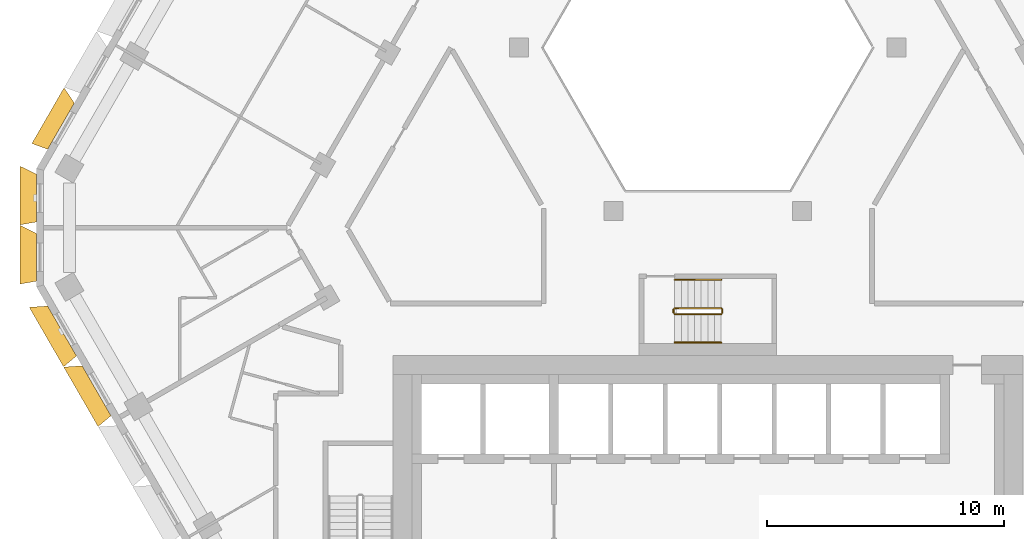
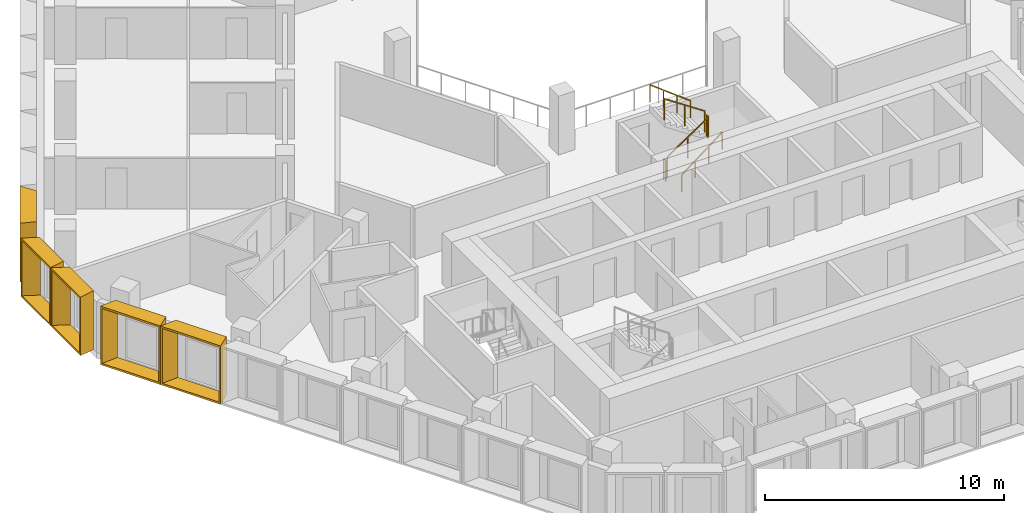
# One storey, part 15 of 17: 6 railings, 5 shading devices.
"""IFC4 building model written with IfcOpenShell, lengths in metres."""

from ifc_helpers import new_model, entity, si_unit, direction, frame, origin, origin_2d, place, context, subcontext, project, spatial, rectangle, extrude, source, transform, mapped, material, type_object, type_shapes, element, save


model = new_model("IFC4")

# Units and contexts
model_context = context("Model", 3, precision=1e-05, world=origin(), true_north=direction((0.0, 1.0)))
body_context = subcontext(model_context, "Body", "Model", "MODEL_VIEW")
ifc_project = project(units=[si_unit("LENGTHUNIT", "METRE"), si_unit("AREAUNIT", "SQUARE_METRE"), si_unit("VOLUMEUNIT", "CUBIC_METRE"), si_unit("PLANEANGLEUNIT", "RADIAN"), si_unit("MASSUNIT", "GRAM", prefix="KILO")], contexts=[model_context])

# Site, building, storey
site_placement = place(None, origin())
site = spatial("IfcSite", under=ifc_project, at=site_placement, CompositionType="ELEMENT")
building_placement = place(site_placement, origin())
building = spatial("IfcBuilding", under=site, at=building_placement, Name="Beryl Residences", CompositionType="ELEMENT")
storey_placement = place(building_placement, frame((0.0, 0.0, 150.60009765625)))
storey = spatial("IfcBuildingStorey", under=building, at=storey_placement, Name="L46", CompositionType="ELEMENT", Elevation=150.60009765625)

# Shading devices
ifc_material_1 = material(Name="Aluminium pale anodised", Category="aluminium")
shading_device_type_1 = type_object("IfcShadingDeviceType", Name="FR250-70B OUTER SKIN frame 700 mm deep, splay 26/10 deg, 2500 x 3000 mm cell", PredefinedType="USERDEFINED", material=ifc_material_1)
cartesian_point_1 = entity("IfcCartesianPoint", [-1.007568359375, 0.0])
cartesian_point_2 = entity("IfcCartesianPoint", [-0.91845703125, 0.10009765625])
cartesian_point_3 = entity("IfcCartesianPoint", [-1.348876953125, 0.0])
cartesian_point_4 = entity("IfcCartesianPoint", [-1.260009765625, 0.10009765625])
shared_shape_1 = source(origin(), body_context, "Body", "SweptSolid", [
    entity("IfcExtrudedAreaSolidTapered", entity("IfcArbitraryProfileDefWithVoids", "AREA", None, entity("IfcPolyline", [cartesian_point_1, entity("IfcCartesianPoint", [1.007568359375, 0.0]), entity("IfcCartesianPoint", [1.007568359375, 3.0]), entity("IfcCartesianPoint", [-1.007568359375, 3.0]), cartesian_point_1]), [entity("IfcPolyline", [cartesian_point_2, entity("IfcCartesianPoint", [0.92626953125, 0.10009765625]), entity("IfcCartesianPoint", [0.92626953125, 2.89990234375]), entity("IfcCartesianPoint", [-0.91845703125, 2.89990234375]), cartesian_point_2])]), entity("IfcAxis2Placement3D", entity("IfcCartesianPoint", [0.0, 0.0, 0.0]), entity("IfcDirection", [0.0, 1.0, 0.0]), entity("IfcDirection", [-1.0, 0.0, 0.0])), entity("IfcDirection", [0.0, 0.0, 1.0]), 0.699951171875, entity("IfcArbitraryProfileDefWithVoids", "AREA", None, entity("IfcPolyline", [cartesian_point_3, entity("IfcCartesianPoint", [1.130859375, 0.0]), entity("IfcCartesianPoint", [1.130859375, 3.0]), entity("IfcCartesianPoint", [-1.348876953125, 3.0]), cartesian_point_3]), [entity("IfcPolyline", [cartesian_point_4, entity("IfcCartesianPoint", [1.0498046875, 0.10009765625]), entity("IfcCartesianPoint", [1.0498046875, 2.89990234375]), entity("IfcCartesianPoint", [-1.260009765625, 2.89990234375]), cartesian_point_4])])),
])
type_shapes(shading_device_type_1, [shared_shape_1])
for number, where, z_axis, x_axis, name in (
    (1, (-28.347900390625, 1.64990234375, 0.0), (0.0, 0.0, 1.0), (0.0, 1.0, 0.0), "FR250-70B frame L46 NW-SW 1"),
    (2, (-28.347900390625, -0.85009765625, 0.0), (0.0, 0.0, 1.0), (0.0, 1.0, 0.0), "FR250-70B frame L46 NW-SW 2"),
):
    element("IfcShadingDevice", number, at=place(storey_placement, frame(where, z_axis=z_axis, x_axis=x_axis)), inside=storey, type_object=shading_device_type_1, Name=name, ObjectType="OUTER SKIN", PredefinedType="USERDEFINED", context=body_context, shape_type="MappedRepresentation", body=[
        mapped(shared_shape_1, transform((0.0, 0.0, 0.0))),
    ])
ifc_material_2 = material(Name="Aluminium pale anodised", Category="aluminium")
shading_device_type_2 = type_object("IfcShadingDeviceType", Name="FR274-70B OUTER SKIN frame 700 mm deep, splay 26/10 deg, 2740 x 3000 mm cell", PredefinedType="USERDEFINED", material=ifc_material_2)
cartesian_point_5 = entity("IfcCartesianPoint", [-1.12744140625, 0.0])
cartesian_point_6 = entity("IfcCartesianPoint", [-1.03857421875, 0.10009765625])
cartesian_point_7 = entity("IfcCartesianPoint", [-1.468994140625, 0.0])
cartesian_point_8 = entity("IfcCartesianPoint", [-1.3798828125, 0.10009765625])
shared_shape_2 = source(origin(), body_context, "Body", "SweptSolid", [
    entity("IfcExtrudedAreaSolidTapered", entity("IfcArbitraryProfileDefWithVoids", "AREA", None, entity("IfcPolyline", [cartesian_point_5, entity("IfcCartesianPoint", [1.12744140625, 0.0]), entity("IfcCartesianPoint", [1.12744140625, 3.0]), entity("IfcCartesianPoint", [-1.12744140625, 3.0]), cartesian_point_5]), [entity("IfcPolyline", [cartesian_point_6, entity("IfcCartesianPoint", [1.04638671875, 0.10009765625]), entity("IfcCartesianPoint", [1.04638671875, 2.89990234375]), entity("IfcCartesianPoint", [-1.03857421875, 2.89990234375]), cartesian_point_6])]), entity("IfcAxis2Placement3D", entity("IfcCartesianPoint", [0.0, 0.0, 0.0]), entity("IfcDirection", [0.0, 1.0, 0.0]), entity("IfcDirection", [-1.0, 0.0, 0.0])), entity("IfcDirection", [0.0, 0.0, 1.0]), 0.699951171875, entity("IfcArbitraryProfileDefWithVoids", "AREA", None, entity("IfcPolyline", [cartesian_point_7, entity("IfcCartesianPoint", [1.2509765625, 0.0]), entity("IfcCartesianPoint", [1.2509765625, 3.0]), entity("IfcCartesianPoint", [-1.468994140625, 3.0]), cartesian_point_7]), [entity("IfcPolyline", [cartesian_point_8, entity("IfcCartesianPoint", [1.169677734375, 0.10009765625]), entity("IfcCartesianPoint", [1.169677734375, 2.89990234375]), entity("IfcCartesianPoint", [-1.3798828125, 2.89990234375]), cartesian_point_8])])),
])
type_shapes(shading_device_type_2, [shared_shape_2])
shading_device_placement = place(storey_placement, frame((-27.31591796875, 4.68701171875, 0.0), z_axis=(0.0, 0.0, 1.0), x_axis=(0.5, 0.866025403784, 0.0)))
element("IfcShadingDevice", 3, at=shading_device_placement, inside=storey, type_object=shading_device_type_2, Name="FR274-70B frame L46 NW 8", ObjectType="OUTER SKIN", PredefinedType="USERDEFINED", context=body_context, shape_type="MappedRepresentation", body=[
    mapped(shared_shape_2, transform((0.0, 0.0, 0.0))),
])
ifc_material_3 = material(Name="Aluminium pale anodised", Category="aluminium")
shading_device_type_3 = type_object("IfcShadingDeviceType", Name="FR292-70B OUTER SKIN frame 700 mm deep, splay 26/10 deg, 2920 x 3000 mm cell", PredefinedType="USERDEFINED", material=ifc_material_3)
cartesian_point_9 = entity("IfcCartesianPoint", [-1.217529296875, 0.0])
cartesian_point_10 = entity("IfcCartesianPoint", [-1.12841796875, 0.10009765625])
cartesian_point_11 = entity("IfcCartesianPoint", [-1.558837890625, 0.0])
cartesian_point_12 = entity("IfcCartesianPoint", [-1.469970703125, 0.10009765625])
shared_shape_3 = source(origin(), body_context, "Body", "SweptSolid", [
    entity("IfcExtrudedAreaSolidTapered", entity("IfcArbitraryProfileDefWithVoids", "AREA", None, entity("IfcPolyline", [cartesian_point_9, entity("IfcCartesianPoint", [1.217529296875, 0.0]), entity("IfcCartesianPoint", [1.217529296875, 3.0]), entity("IfcCartesianPoint", [-1.217529296875, 3.0]), cartesian_point_9]), [entity("IfcPolyline", [cartesian_point_10, entity("IfcCartesianPoint", [1.13623046875, 0.10009765625]), entity("IfcCartesianPoint", [1.13623046875, 2.89990234375]), entity("IfcCartesianPoint", [-1.12841796875, 2.89990234375]), cartesian_point_10])]), entity("IfcAxis2Placement3D", entity("IfcCartesianPoint", [0.0, 0.0, 0.0]), entity("IfcDirection", [0.0, 1.0, 0.0]), entity("IfcDirection", [-1.0, 0.0, 0.0])), entity("IfcDirection", [0.0, 0.0, 1.0]), 0.699951171875, entity("IfcArbitraryProfileDefWithVoids", "AREA", None, entity("IfcPolyline", [cartesian_point_11, entity("IfcCartesianPoint", [1.3408203125, 0.0]), entity("IfcCartesianPoint", [1.3408203125, 3.0]), entity("IfcCartesianPoint", [-1.558837890625, 3.0]), cartesian_point_11]), [entity("IfcPolyline", [cartesian_point_12, entity("IfcCartesianPoint", [1.259765625, 0.10009765625]), entity("IfcCartesianPoint", [1.259765625, 2.89990234375]), entity("IfcCartesianPoint", [-1.469970703125, 2.89990234375]), cartesian_point_12])])),
])
type_shapes(shading_device_type_3, [shared_shape_3])
for number, where, z_axis, x_axis, name in (
    (4, (-27.27294921875, -3.9619140625, 0.0), (0.0, 0.0, 1.0), (-0.5, 0.866025403784, 0.0), "FR292-70B frame L46 SW 1"),
    (5, (-25.81494140625, -6.487060546875, 0.0), (0.0, 0.0, 1.0), (-0.5, 0.866025403784, 0.0), "FR292-70B frame L46 SW 2"),
):
    element("IfcShadingDevice", number, at=place(storey_placement, frame(where, z_axis=z_axis, x_axis=x_axis)), inside=storey, type_object=shading_device_type_3, Name=name, ObjectType="OUTER SKIN", PredefinedType="USERDEFINED", context=body_context, shape_type="MappedRepresentation", body=[
        mapped(shared_shape_3, transform((0.0, 0.0, 0.0))),
    ])

# Railings
ifc_material_4 = material(Name="Stainless steel balustrade with glass infill", Category="steel")
railing_type_1 = type_object("IfcRailingType", Name="SG1 stair guard 1100 mm", PredefinedType="GUARDRAIL", material=ifc_material_4)
railing_1_placement = place(storey_placement, frame((-1.39990234375, -3.25, 0.1875)))
element("IfcRailing", 6, at=railing_1_placement, inside=storey, type_object=railing_type_1, Name="L46 ST-4 stair guard 1", PredefinedType="GUARDRAIL", context=body_context, shape_type="SweptSolid", body=[
    extrude(rectangle(XDim=0.048095703125, YDim=0.048095703125, at=origin_2d()), frame((0.0, 0.0, 1.076171875), z_axis=(0.830902050051, 0.0, 0.556418712142), x_axis=(0.0, 1.0, 0.0)), (0.0, 0.0, 1.0), 2.35888671875),
    extrude(rectangle(XDim=0.0419921875, YDim=0.0419921875, at=origin_2d()), origin(), (0.0, 0.0, 1.0), 1.052001953125),
    extrude(rectangle(XDim=0.0419921875, YDim=0.0419921875, at=origin_2d()), frame((0.97998046875, 0.0, 0.65625)), (0.0, 0.0, 1.0), 1.052001953125),
    extrude(rectangle(XDim=0.0419921875, YDim=0.0419921875, at=origin_2d()), frame((1.9599609375, 0.0, 1.3125)), (0.0, 0.0, 1.0), 1.052001953125),
])
railing_2_placement = place(storey_placement, frame((0.610107421875, -3.199951171875, 1.5)))
element("IfcRailing", 7, at=railing_2_placement, inside=storey, type_object=railing_type_1, Name="L46 ST-4 stair guard 2", PredefinedType="GUARDRAIL", context=body_context, shape_type="SweptSolid", body=[
    extrude(rectangle(XDim=0.048095703125, YDim=0.048095703125, at=origin_2d()), frame((0.0, 0.0, 1.076171875), z_axis=(0.0, 1.0, 0.0), x_axis=(-1.0, 0.0, 0.0)), (0.0, 0.0, 1.0), 0.14990234375),
    extrude(rectangle(XDim=0.0419921875, YDim=0.0419921875, at=origin_2d()), origin(), (0.0, 0.0, 1.0), 1.052001953125),
    extrude(rectangle(XDim=0.0419921875, YDim=0.0419921875, at=origin_2d()), frame((0.0, 0.14990234375, 0.0)), (0.0, 0.0, 1.0), 1.052001953125),
])
railing_3_placement = place(storey_placement, frame((0.56005859375, -3.0, 1.6875)))
element("IfcRailing", 8, at=railing_3_placement, inside=storey, type_object=railing_type_1, Name="L46 ST-4 stair guard 3", PredefinedType="GUARDRAIL", context=body_context, shape_type="SweptSolid", body=[
    extrude(rectangle(XDim=0.048095703125, YDim=0.048095703125, at=origin_2d()), frame((0.0, 0.0, 1.076171875), z_axis=(-0.830902050051, 0.0, 0.556418712142), x_axis=(0.0, -1.0, 0.0)), (0.0, 0.0, 1.0), 2.35888671875),
    extrude(rectangle(XDim=0.0419921875, YDim=0.0419921875, at=origin_2d()), origin(), (0.0, 0.0, 1.0), 1.052001953125),
    extrude(rectangle(XDim=0.0419921875, YDim=0.0419921875, at=origin_2d()), frame((-0.97998046875, 0.0, 0.65625)), (0.0, 0.0, 1.0), 1.052001953125),
    extrude(rectangle(XDim=0.0419921875, YDim=0.0419921875, at=origin_2d()), frame((-1.9599609375, 0.0, 1.3125)), (0.0, 0.0, 1.0), 1.052001953125),
])
railing_4_placement = place(storey_placement, frame((-1.449951171875, -3.199951171875, 0.0)))
element("IfcRailing", 9, at=railing_4_placement, inside=storey, type_object=railing_type_1, Name="L46 ST-4 stair guard 4", PredefinedType="GUARDRAIL", context=body_context, shape_type="SweptSolid", body=[
    extrude(rectangle(XDim=0.048095703125, YDim=0.048095703125, at=origin_2d()), frame((0.0, 0.0, 1.076171875), z_axis=(0.0, 1.0, 0.0), x_axis=(-1.0, 0.0, 0.0)), (0.0, 0.0, 1.0), 0.14990234375),
    extrude(rectangle(XDim=0.0419921875, YDim=0.0419921875, at=origin_2d()), origin(), (0.0, 0.0, 1.0), 1.052001953125),
    extrude(rectangle(XDim=0.0419921875, YDim=0.0419921875, at=origin_2d()), frame((0.0, 0.14990234375, 0.0)), (0.0, 0.0, 1.0), 1.052001953125),
])
ifc_material_5 = material(Name="Stainless steel handrail", Category="steel")
railing_type_2 = type_object("IfcRailingType", Name="SRL1 stair handrail 900 mm", PredefinedType="HANDRAIL", material=ifc_material_5)
railing_5_placement = place(storey_placement, frame((-1.39990234375, -4.449951171875, 0.1875)))
element("IfcRailing", 10, at=railing_5_placement, inside=storey, type_object=railing_type_2, Name="L46 ST-4 stair handrail 1", PredefinedType="HANDRAIL", context=body_context, shape_type="SweptSolid", body=[
    extrude(rectangle(XDim=0.048095703125, YDim=0.048095703125, at=origin_2d()), frame((0.0, 0.0, 0.8759765625), z_axis=(0.794121922505, 0.0, 0.607758481798), x_axis=(0.0, 1.0, 0.0)), (0.0, 0.0, 1.0), 2.468017578125),
    extrude(rectangle(XDim=0.0419921875, YDim=0.0419921875, at=origin_2d()), origin(), (0.0, 0.0, 1.0), 0.851806640625),
    extrude(rectangle(XDim=0.0419921875, YDim=0.0419921875, at=origin_2d()), frame((0.6533203125, 0.0, 0.5)), (0.0, 0.0, 1.0), 0.851806640625),
    extrude(rectangle(XDim=0.0419921875, YDim=0.0419921875, at=origin_2d()), frame((1.306640625, 0.0, 1.0)), (0.0, 0.0, 1.0), 0.851806640625),
    extrude(rectangle(XDim=0.0419921875, YDim=0.0419921875, at=origin_2d()), frame((1.9599609375, 0.0, 1.5)), (0.0, 0.0, 1.0), 0.851806640625),
])
railing_6_placement = place(storey_placement, frame((0.56005859375, -1.800048828125, 1.6875)))
element("IfcRailing", 11, at=railing_6_placement, inside=storey, type_object=railing_type_2, Name="L46 ST-4 stair handrail 2", PredefinedType="HANDRAIL", context=body_context, shape_type="SweptSolid", body=[
    extrude(rectangle(XDim=0.048095703125, YDim=0.048095703125, at=origin_2d()), frame((0.0, 0.0, 0.8759765625), z_axis=(-0.794121922505, 0.0, 0.607758481798), x_axis=(0.0, -1.0, 0.0)), (0.0, 0.0, 1.0), 2.468017578125),
    extrude(rectangle(XDim=0.0419921875, YDim=0.0419921875, at=origin_2d()), origin(), (0.0, 0.0, 1.0), 0.851806640625),
    extrude(rectangle(XDim=0.0419921875, YDim=0.0419921875, at=origin_2d()), frame((-0.6533203125, 0.0, 0.5)), (0.0, 0.0, 1.0), 0.851806640625),
    extrude(rectangle(XDim=0.0419921875, YDim=0.0419921875, at=origin_2d()), frame((-1.306640625, 0.0, 1.0)), (0.0, 0.0, 1.0), 0.851806640625),
    extrude(rectangle(XDim=0.0419921875, YDim=0.0419921875, at=origin_2d()), frame((-1.9599609375, 0.0, 1.5)), (0.0, 0.0, 1.0), 0.851806640625),
])

save(model, "model.ifc")
